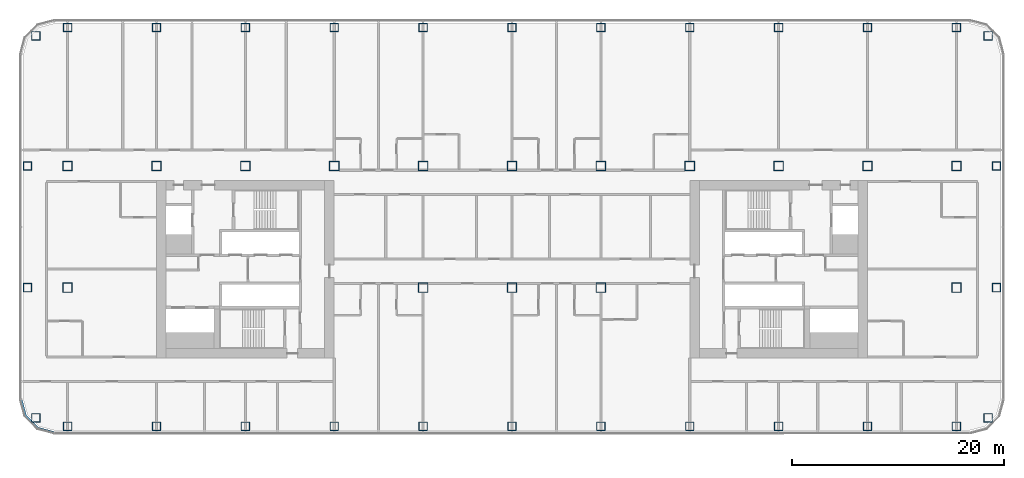
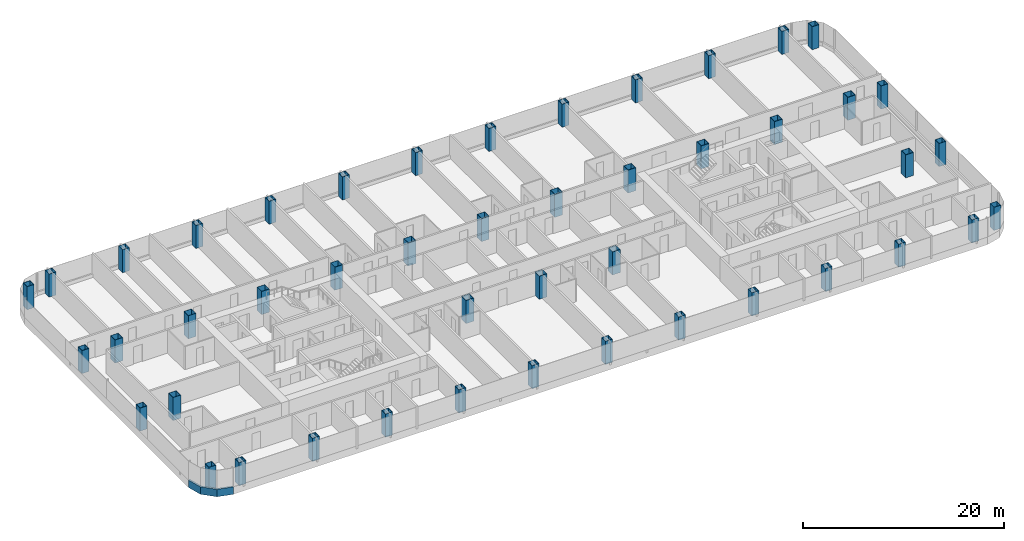
# One storey, part 1 of 29: 46 columns, 1 member, 1 element without a shape of its own.
"""IFC4 building model written with IfcOpenShell, lengths in metres."""

from ifc_helpers import new_model, si_unit, direction, frame, origin, origin_2d, place, context, subcontext, project, spatial, polyline, rectangle, hollow_rectangle, outline, extrude, material, layer, layer_set, material_profile, profile_set, type_object, element, aggregate, save


model = new_model("IFC4")

# Units and contexts
model_context = context("Model", 3, precision=1e-05, world=origin(), true_north=direction((0.0, 1.0)))
body_context = subcontext(model_context, "Body", "Model", "MODEL_VIEW")
ifc_project = project(units=[si_unit("LENGTHUNIT", "METRE"), si_unit("AREAUNIT", "SQUARE_METRE"), si_unit("VOLUMEUNIT", "CUBIC_METRE"), si_unit("PLANEANGLEUNIT", "RADIAN"), si_unit("MASSUNIT", "GRAM", prefix="KILO")], contexts=[model_context])

# Site, building, storey
site_placement = place(None, origin())
site = spatial("IfcSite", under=ifc_project, at=site_placement, CompositionType="ELEMENT")
building_placement = place(site_placement, origin())
building = spatial("IfcBuilding", under=site, at=building_placement, Name="Hakoniwa Tower and Hamabe Station Hall", CompositionType="ELEMENT")
storey_placement = place(building_placement, frame((0.0, 0.0, 101.0)))
storey = spatial("IfcBuildingStorey", under=building, at=storey_placement, Name="L28", CompositionType="ELEMENT", Elevation=101.0)

# Columns
ifc_material_1 = material(Name="Steel SN490C", Category="steel")
ifc_material_profile_1 = material_profile(ifc_material_1, hollow_rectangle(XDim=0.800048828125, YDim=0.800048828125, WallThickness=0.031982421875, at=origin_2d()), Name="BX-800x800x32")
ifc_profile_set_1 = profile_set([ifc_material_profile_1], Name="Steel SN490C")
column_type_1 = type_object("IfcColumnType", Name="COLUMN BX-800x800x32", PredefinedType="COLUMN", material=ifc_profile_set_1)
for number, where, z_axis, x_axis, name in (
    (1, (-45.003173828125, -14.052978515625, 0.0), (0.0, 0.0, 1.0), (1.0, 0.0, 0.0), "Column B2-EW-A2"),
    (2, (-45.800048828125, -1.75, 0.0), (0.0, 0.0, 1.0), (1.0, 0.0, 0.0), "Column B2-EW-C2"),
    (3, (-45.800048828125, 9.75, 0.0), (0.0, 0.0, 1.0), (1.0, 0.0, 0.0), "Column B2-EW-E2"),
    (4, (-45.003173828125, 22.052978515625, 0.0), (0.0, 0.0, 1.0), (1.0, 0.0, 0.0), "Column B2-EW-G2"),
    (5, (-42.0, -14.85009765625, 0.0), (0.0, 0.0, 1.0), (1.0, 0.0, 0.0), "Column B2-2-A2"),
    (6, (-42.0, 22.85009765625, 0.0), (0.0, 0.0, 1.0), (1.0, 0.0, 0.0), "Column B2-2-G2"),
    (7, (-33.60009765625, -14.85009765625, 0.0), (0.0, 0.0, 1.0), (1.0, 0.0, 0.0), "Column B2-3-A2"),
    (8, (-33.60009765625, 22.85009765625, 0.0), (0.0, 0.0, 1.0), (1.0, 0.0, 0.0), "Column B2-3-G2"),
    (9, (-25.199951171875, -14.85009765625, 0.0), (0.0, 0.0, 1.0), (1.0, 0.0, 0.0), "Column B2-4-A2"),
    (10, (-25.199951171875, 22.85009765625, 0.0), (0.0, 0.0, 1.0), (1.0, 0.0, 0.0), "Column B2-4-G2"),
    (11, (-16.800048828125, -14.85009765625, 0.0), (0.0, 0.0, 1.0), (1.0, 0.0, 0.0), "Column B2-5-A2"),
    (12, (-16.800048828125, 22.85009765625, 0.0), (0.0, 0.0, 1.0), (1.0, 0.0, 0.0), "Column B2-5-G2"),
    (13, (-8.39990234375, -14.85009765625, 0.0), (0.0, 0.0, 1.0), (1.0, 0.0, 0.0), "Column B2-6-A2"),
    (14, (-8.39990234375, 22.85009765625, 0.0), (0.0, 0.0, 1.0), (1.0, 0.0, 0.0), "Column B2-6-G2"),
    (15, (0.0, -14.85009765625, 0.0), (0.0, 0.0, 1.0), (1.0, 0.0, 0.0), "Column B2-7-A2"),
    (16, (0.0, 22.85009765625, 0.0), (0.0, 0.0, 1.0), (1.0, 0.0, 0.0), "Column B2-7-G2"),
    (17, (8.39990234375, -14.85009765625, 0.0), (0.0, 0.0, 1.0), (1.0, 0.0, 0.0), "Column B2-8-A2"),
    (18, (8.39990234375, 22.85009765625, 0.0), (0.0, 0.0, 1.0), (1.0, 0.0, 0.0), "Column B2-8-G2"),
    (19, (16.800048828125, -14.85009765625, 0.0), (0.0, 0.0, 1.0), (1.0, 0.0, 0.0), "Column B2-9-A2"),
    (20, (16.800048828125, 22.85009765625, 0.0), (0.0, 0.0, 1.0), (1.0, 0.0, 0.0), "Column B2-9-G2"),
    (21, (25.199951171875, -14.85009765625, 0.0), (0.0, 0.0, 1.0), (1.0, 0.0, 0.0), "Column B2-10-A2"),
    (22, (25.199951171875, 22.85009765625, 0.0), (0.0, 0.0, 1.0), (1.0, 0.0, 0.0), "Column B2-10-G2"),
    (23, (33.60009765625, -14.85009765625, 0.0), (0.0, 0.0, 1.0), (1.0, 0.0, 0.0), "Column B2-11-A2"),
    (24, (33.60009765625, 22.85009765625, 0.0), (0.0, 0.0, 1.0), (1.0, 0.0, 0.0), "Column B2-11-G2"),
    (25, (42.0, -14.85009765625, 0.0), (0.0, 0.0, 1.0), (1.0, 0.0, 0.0), "Column B2-12-A2"),
    (26, (42.0, 22.85009765625, 0.0), (0.0, 0.0, 1.0), (1.0, 0.0, 0.0), "Column B2-12-G2"),
    (27, (45.003173828125, -14.052978515625, 0.0), (0.0, 0.0, 1.0), (1.0, 0.0, 0.0), "Column B2-EE-A2"),
    (28, (45.800048828125, -1.75, 0.0), (0.0, 0.0, 1.0), (1.0, 0.0, 0.0), "Column B2-EE-C2"),
    (29, (45.800048828125, 9.75, 0.0), (0.0, 0.0, 1.0), (1.0, 0.0, 0.0), "Column B2-EE-E2"),
    (30, (45.003173828125, 22.052978515625, 0.0), (0.0, 0.0, 1.0), (1.0, 0.0, 0.0), "Column B2-EE-G2"),
):
    element("IfcColumn", number, at=place(storey_placement, frame(where, z_axis=z_axis, x_axis=x_axis)), inside=storey, type_object=column_type_1, Name=name, PredefinedType="COLUMN", context=body_context, shape_type="SweptSolid", body=[
        extrude(hollow_rectangle(XDim=0.800048828125, YDim=0.800048828125, WallThickness=0.031982421875, at=origin_2d()), origin(), (0.0, 0.0, 1.0), 2.800048828125),
    ])
ifc_material_2 = material(Name="Steel SN490C", Category="steel")
ifc_material_profile_2 = material_profile(ifc_material_2, hollow_rectangle(XDim=0.89990234375, YDim=0.89990234375, WallThickness=0.035888671875, at=origin_2d()), Name="BX-900x900x36")
ifc_profile_set_2 = profile_set([ifc_material_profile_2], Name="Steel SN490C")
column_type_2 = type_object("IfcColumnType", Name="COLUMN BX-900x900x36", PredefinedType="COLUMN", material=ifc_profile_set_2)
for number, where, z_axis, x_axis, name in (
    (31, (-42.0, -1.75, 0.0), (0.0, 0.0, 1.0), (1.0, 0.0, 0.0), "Column B2-2-C2"),
    (32, (-42.0, 9.75, 0.0), (0.0, 0.0, 1.0), (1.0, 0.0, 0.0), "Column B2-2-E2"),
    (33, (-33.60009765625, 9.75, 0.0), (0.0, 0.0, 1.0), (1.0, 0.0, 0.0), "Column B2-3-E2"),
    (34, (-25.199951171875, 9.75, 0.0), (0.0, 0.0, 1.0), (1.0, 0.0, 0.0), "Column B2-4-E2"),
    (35, (-16.800048828125, 9.75, 0.0), (0.0, 0.0, 1.0), (1.0, 0.0, 0.0), "Column B2-5-E2"),
    (36, (-8.39990234375, -1.75, 0.0), (0.0, 0.0, 1.0), (1.0, 0.0, 0.0), "Column B2-6-C2"),
    (37, (-8.39990234375, 9.75, 0.0), (0.0, 0.0, 1.0), (1.0, 0.0, 0.0), "Column B2-6-E2"),
    (38, (0.0, -1.75, 0.0), (0.0, 0.0, 1.0), (1.0, 0.0, 0.0), "Column B2-7-C2"),
    (39, (0.0, 9.75, 0.0), (0.0, 0.0, 1.0), (1.0, 0.0, 0.0), "Column B2-7-E2"),
    (40, (8.39990234375, -1.75, 0.0), (0.0, 0.0, 1.0), (1.0, 0.0, 0.0), "Column B2-8-C2"),
    (41, (8.39990234375, 9.75, 0.0), (0.0, 0.0, 1.0), (1.0, 0.0, 0.0), "Column B2-8-E2"),
    (42, (16.800048828125, 9.75, 0.0), (0.0, 0.0, 1.0), (1.0, 0.0, 0.0), "Column B2-9-E2"),
    (43, (25.199951171875, 9.75, 0.0), (0.0, 0.0, 1.0), (1.0, 0.0, 0.0), "Column B2-10-E2"),
    (44, (33.60009765625, 9.75, 0.0), (0.0, 0.0, 1.0), (1.0, 0.0, 0.0), "Column B2-11-E2"),
    (45, (42.0, -1.75, 0.0), (0.0, 0.0, 1.0), (1.0, 0.0, 0.0), "Column B2-12-C2"),
    (46, (42.0, 9.75, 0.0), (0.0, 0.0, 1.0), (1.0, 0.0, 0.0), "Column B2-12-E2"),
):
    element("IfcColumn", number, at=place(storey_placement, frame(where, z_axis=z_axis, x_axis=x_axis)), inside=storey, type_object=column_type_2, Name=name, PredefinedType="COLUMN", context=body_context, shape_type="SweptSolid", body=[
        extrude(hollow_rectangle(XDim=0.89990234375, YDim=0.89990234375, WallThickness=0.035888671875, at=origin_2d()), origin(), (0.0, 0.0, 1.0), 2.800048828125),
    ])

# Curtain wall, member
ifc_material_3 = material(Name="Dark low-e laminated glass", Category="glass")
ifc_layer = layer(ifc_material_3, 0.199951171875)
ifc_layer_set = layer_set([ifc_layer], Name="CW-1 UNITISED GUEST")
curtain_wall_type = type_object("IfcCurtainWallType", Name="CW-1 UNITISED GUEST", PredefinedType="NOTDEFINED", material=ifc_layer_set)
curtain_wall_placement = place(storey_placement, origin())
curtain_wall = element("IfcCurtainWall", 47, at=curtain_wall_placement, inside=storey, type_object=curtain_wall_type, Name="CW-1 curtain wall", PredefinedType="NOTDEFINED")
ifc_material_4 = material(Name="Aluminium 6063-T5 black anodised", Category="aluminium")
ifc_material_profile_3 = material_profile(ifc_material_4, rectangle(XDim=0.199951171875, YDim=0.89990234375, at=origin_2d()), Name="CW SLAB-EDGE BAND 900X200")
ifc_profile_set_3 = profile_set([ifc_material_profile_3], Name="Aluminium 6063-T5 black anodised")
member_type = type_object("IfcMemberType", Name="CW SLAB-EDGE BAND 900X200", PredefinedType="USERDEFINED", material=ifc_profile_set_3)
member_placement = place(storey_placement, frame((0.0, 0.0, -0.550048828125)))
member = element("IfcMember", 48, at=member_placement, type_object=member_type, Name="CW-1 transom", ObjectType="TRANSOM", PredefinedType="USERDEFINED", context=body_context, shape_type="SweptSolid", body=[
    extrude(outline(polyline([(-46.5, -12.28955078125), (-46.067138671875, -13.9052734375), (-44.855224609375, -15.116943359375), (-43.239501953125, -15.550048828125), (-43.187744140625, -15.35693359375), (-44.751708984375, -14.937744140625), (-45.8876953125, -13.8017578125), (-46.306884765625, -12.23779296875), (-46.5, -12.28955078125)])), origin(), (0.0, 0.0, 1.0), 0.900146484375),
])
aggregate(curtain_wall, [member])

save(model, "model.ifc")
